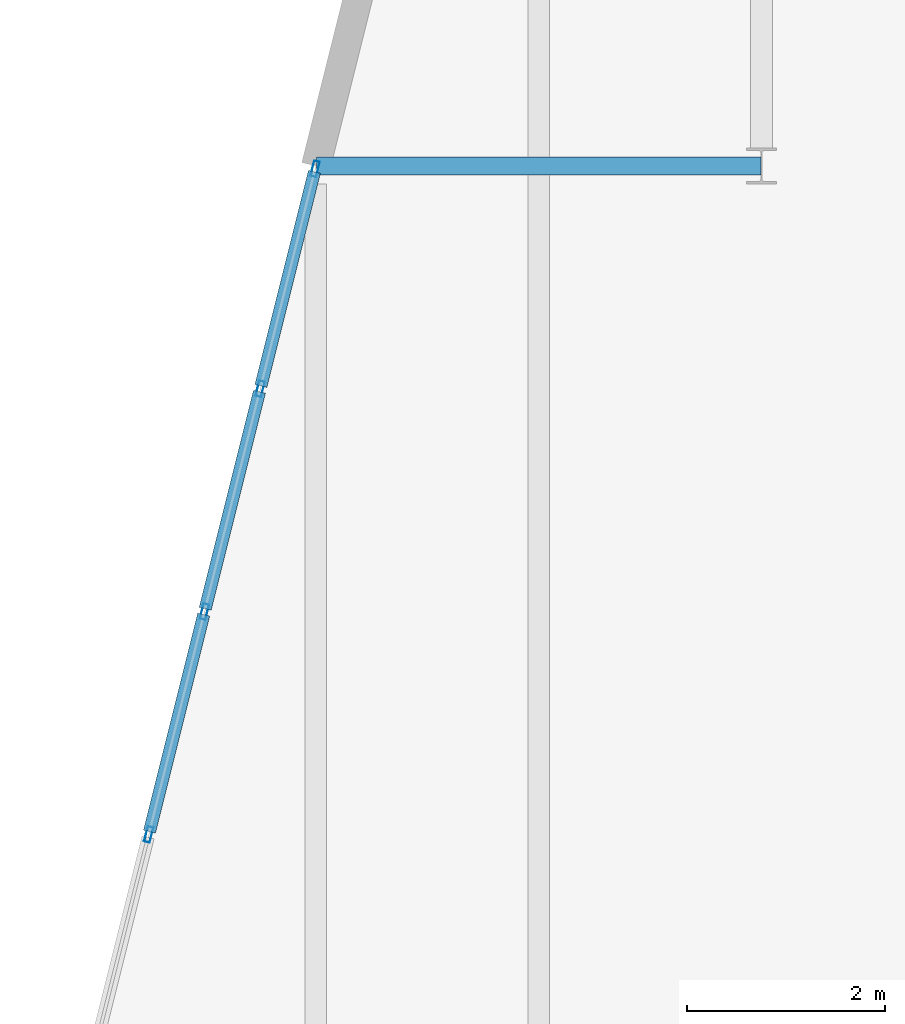
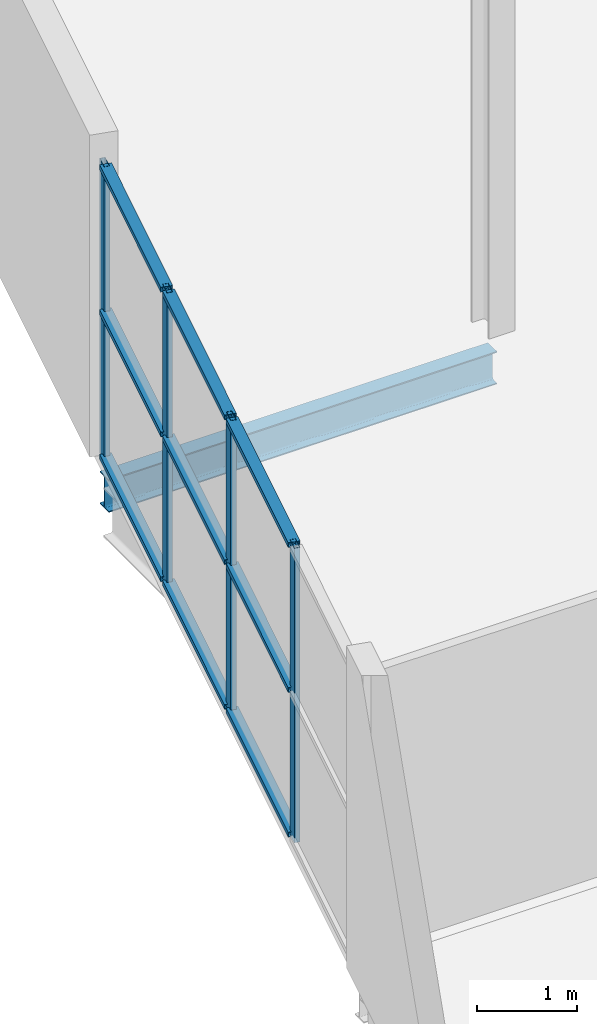
# One storey, part 88 of 132: 13 members, 1 beam, 1 element without a shape of its own.
"""IFC4 building model written with IfcOpenShell, lengths in metres."""

from ifc_helpers import new_model, si_unit, direction, frame, origin, origin_2d, place, context, subcontext, project, spatial, hollow_rectangle, i_section, extrude, material, layer, layer_set, material_profile, profile_set, type_object, element, aggregate, save


model = new_model("IFC4")

# Units and contexts
model_context = context("Model", 3, precision=1e-05, world=origin(), true_north=direction((0.0, 1.0)))
body_context = subcontext(model_context, "Body", "Model", "MODEL_VIEW")
ifc_project = project(units=[si_unit("LENGTHUNIT", "METRE"), si_unit("AREAUNIT", "SQUARE_METRE"), si_unit("VOLUMEUNIT", "CUBIC_METRE"), si_unit("PLANEANGLEUNIT", "RADIAN"), si_unit("MASSUNIT", "GRAM", prefix="KILO")], contexts=[model_context])

# Site, building, storey
site_placement = place(None, origin())
site = spatial("IfcSite", under=ifc_project, at=site_placement, CompositionType="ELEMENT")
building_placement = place(site_placement, origin())
building = spatial("IfcBuilding", under=site, at=building_placement, Name="Deido Ridge Mobility Hub", CompositionType="ELEMENT")
storey_placement = place(building_placement, frame((0.0, 0.0, 8.39990234375)))
storey = spatial("IfcBuildingStorey", under=building, at=storey_placement, Name="L02", CompositionType="ELEMENT", Elevation=8.39990234375)

# Beam
ifc_material_1 = material(Name="Steel S355J2 EN 10025-2", Category="steel")
ifc_material_profile_1 = material_profile(ifc_material_1, i_section(OverallWidth=0.179931640625, OverallDepth=0.39990234375, WebThickness=0.008544921875, FlangeThickness=0.013427734375, FilletRadius=0.02099609375, at=origin_2d()), Name="IPE 400")
ifc_profile_set_1 = profile_set([ifc_material_profile_1], Name="Steel S355J2 EN 10025-2")
beam_type = type_object("IfcBeamType", Name="BM-IPE400", PredefinedType="BEAM", material=ifc_profile_set_1)
beam_placement = place(storey_placement, frame((128.256103515625, 45.0, -0.454833984375), z_axis=(1.0, 0.0, 0.0), x_axis=(0.0, 1.0, 0.0)))
element("IfcBeam", 1, at=beam_placement, inside=storey, type_object=beam_type, Name="Floor beam B5", PredefinedType="BEAM", context=body_context, shape_type="SweptSolid", body=[
    extrude(i_section(OverallWidth=0.179931640625, OverallDepth=0.39990234375, WebThickness=0.008544921875, FlangeThickness=0.013427734375, FilletRadius=0.02099609375, at=origin_2d()), origin(), (0.0, 0.0, 1.0), 4.48779296875),
])

# Curtain wall, members
ifc_material_2 = material(Name="Anodised aluminium EN AW-6063 T6", Category="aluminium")
ifc_layer = layer(ifc_material_2, 0.2099609375, Name="Anodised aluminium EN AW-6063 T6")
ifc_layer_set = layer_set([ifc_layer], Name="Anodised aluminium EN AW-6063 T6")
curtain_wall_type = type_object("IfcCurtainWallType", Name="CW-UF-4", PredefinedType="USERDEFINED", material=ifc_layer_set)
curtain_wall_placement = place(storey_placement, origin())
curtain_wall = element("IfcCurtainWall", 2, at=curtain_wall_placement, inside=storey, type_object=curtain_wall_type, Name="Unitised curtain wall CW4", ObjectType="UNITISED FACADE", PredefinedType="USERDEFINED")
ifc_material_profile_2 = material_profile(ifc_material_2, hollow_rectangle(XDim=0.06005859375, YDim=0.159912109375, WallThickness=0.00390625, at=origin_2d()), Name="RHS 60x160x4")
ifc_profile_set_2 = profile_set([ifc_material_profile_2], Name="Anodised aluminium EN AW-6063 T6")
member_type_1 = type_object("IfcMemberType", Name="MEM-MUL-60X160", PredefinedType="MULLION", material=ifc_profile_set_2)
member_1_placement = place(storey_placement, frame((126.5625, 38.25, 0.0), z_axis=(0.0, 0.0, 1.0), x_axis=(-0.970142500145, 0.242535625038, 0.0)))
member_1 = element("IfcMember", 3, at=member_1_placement, type_object=member_type_1, Name="CW4 mullion 2", PredefinedType="MULLION", context=body_context, shape_type="SweptSolid", body=[
    extrude(hollow_rectangle(XDim=0.06005859375, YDim=0.159912109375, WallThickness=0.00390625, at=origin_2d()), origin(), (0.0, 0.0, 1.0), 3.60009765625),
])
member_2_placement = place(storey_placement, frame((127.125, 40.5, 0.0), z_axis=(0.0, 0.0, 1.0), x_axis=(-0.970142500145, 0.242535625038, 0.0)))
member_2 = element("IfcMember", 4, at=member_2_placement, type_object=member_type_1, Name="CW4 mullion 3", PredefinedType="MULLION", context=body_context, shape_type="SweptSolid", body=[
    extrude(hollow_rectangle(XDim=0.06005859375, YDim=0.159912109375, WallThickness=0.00390625, at=origin_2d()), origin(), (0.0, 0.0, 1.0), 3.60009765625),
])
member_3_placement = place(storey_placement, frame((127.6875, 42.75, 0.0), z_axis=(0.0, 0.0, 1.0), x_axis=(-0.970142500145, 0.242535625038, 0.0)))
member_3 = element("IfcMember", 5, at=member_3_placement, type_object=member_type_1, Name="CW4 mullion 4", PredefinedType="MULLION", context=body_context, shape_type="SweptSolid", body=[
    extrude(hollow_rectangle(XDim=0.06005859375, YDim=0.159912109375, WallThickness=0.00390625, at=origin_2d()), origin(), (0.0, 0.0, 1.0), 3.60009765625),
])
member_4_placement = place(storey_placement, frame((128.24267578125, 44.970947265625, 0.0), z_axis=(0.0, 0.0, 1.0), x_axis=(-0.970142500145, 0.242535625038, 0.0)))
member_4 = element("IfcMember", 6, at=member_4_placement, type_object=member_type_1, Name="CW4 mullion 5", PredefinedType="MULLION", context=body_context, shape_type="SweptSolid", body=[
    extrude(hollow_rectangle(XDim=0.06005859375, YDim=0.159912109375, WallThickness=0.00390625, at=origin_2d()), origin(), (0.0, 0.0, 1.0), 3.60009765625),
])
ifc_material_profile_3 = material_profile(ifc_material_2, hollow_rectangle(XDim=0.125, YDim=0.06005859375, WallThickness=0.00390625, at=origin_2d()), Name="RHS 125x60x4")
ifc_profile_set_3 = profile_set([ifc_material_profile_3], Name="Anodised aluminium EN AW-6063 T6")
member_type_2 = type_object("IfcMemberType", Name="MEM-TRN-125X60", PredefinedType="USERDEFINED", material=ifc_profile_set_3)
member_5_placement = place(storey_placement, frame((126.56982421875, 38.279052734375, 0.030029296875), z_axis=(0.24248477333, 0.970155211656, 0.0), x_axis=(-0.970155211656, 0.24248477333, 0.0)))
member_5 = element("IfcMember", 7, at=member_5_placement, type_object=member_type_2, Name="CW4 transom 2.1", ObjectType="TRANSOM", PredefinedType="USERDEFINED", context=body_context, shape_type="SweptSolid", body=[
    extrude(hollow_rectangle(XDim=0.125, YDim=0.06005859375, WallThickness=0.00390625, at=origin_2d()), origin(), (0.0, 0.0, 1.0), 2.25927734375),
])
member_6_placement = place(storey_placement, frame((126.56982421875, 38.279052734375, 1.800048828125), z_axis=(0.24248477333, 0.970155211656, 0.0), x_axis=(-0.970155211656, 0.24248477333, 0.0)))
member_6 = element("IfcMember", 8, at=member_6_placement, type_object=member_type_2, Name="CW4 transom 2.2", ObjectType="TRANSOM", PredefinedType="USERDEFINED", context=body_context, shape_type="SweptSolid", body=[
    extrude(hollow_rectangle(XDim=0.125, YDim=0.06005859375, WallThickness=0.00390625, at=origin_2d()), origin(), (0.0, 0.0, 1.0), 2.25927734375),
])
member_7_placement = place(storey_placement, frame((126.56982421875, 38.279052734375, 3.570068359375), z_axis=(0.24248477333, 0.970155211656, 0.0), x_axis=(-0.970155211656, 0.24248477333, 0.0)))
member_7 = element("IfcMember", 9, at=member_7_placement, type_object=member_type_2, Name="CW4 transom 2.3", ObjectType="TRANSOM", PredefinedType="USERDEFINED", context=body_context, shape_type="SweptSolid", body=[
    extrude(hollow_rectangle(XDim=0.125, YDim=0.06005859375, WallThickness=0.00390625, at=origin_2d()), origin(), (0.0, 0.0, 1.0), 2.25927734375),
])
member_8_placement = place(storey_placement, frame((127.13232421875, 40.529052734375, 0.030029296875), z_axis=(0.24248477333, 0.970155211656, 0.0), x_axis=(-0.970155211656, 0.24248477333, 0.0)))
member_8 = element("IfcMember", 10, at=member_8_placement, type_object=member_type_2, Name="CW4 transom 3.1", ObjectType="TRANSOM", PredefinedType="USERDEFINED", context=body_context, shape_type="SweptSolid", body=[
    extrude(hollow_rectangle(XDim=0.125, YDim=0.06005859375, WallThickness=0.00390625, at=origin_2d()), origin(), (0.0, 0.0, 1.0), 2.25927734375),
])
member_9_placement = place(storey_placement, frame((127.13232421875, 40.529052734375, 1.800048828125), z_axis=(0.24248477333, 0.970155211656, 0.0), x_axis=(-0.970155211656, 0.24248477333, 0.0)))
member_9 = element("IfcMember", 11, at=member_9_placement, type_object=member_type_2, Name="CW4 transom 3.2", ObjectType="TRANSOM", PredefinedType="USERDEFINED", context=body_context, shape_type="SweptSolid", body=[
    extrude(hollow_rectangle(XDim=0.125, YDim=0.06005859375, WallThickness=0.00390625, at=origin_2d()), origin(), (0.0, 0.0, 1.0), 2.25927734375),
])
member_10_placement = place(storey_placement, frame((127.13232421875, 40.529052734375, 3.570068359375), z_axis=(0.24248477333, 0.970155211656, 0.0), x_axis=(-0.970155211656, 0.24248477333, 0.0)))
member_10 = element("IfcMember", 12, at=member_10_placement, type_object=member_type_2, Name="CW4 transom 3.3", ObjectType="TRANSOM", PredefinedType="USERDEFINED", context=body_context, shape_type="SweptSolid", body=[
    extrude(hollow_rectangle(XDim=0.125, YDim=0.06005859375, WallThickness=0.00390625, at=origin_2d()), origin(), (0.0, 0.0, 1.0), 2.25927734375),
])
member_11_placement = place(storey_placement, frame((127.69482421875, 42.779052734375, 0.030029296875), z_axis=(0.242458322075, 0.970161822613, 0.0), x_axis=(-0.970161822613, 0.242458322075, 0.0)))
member_11 = element("IfcMember", 13, at=member_11_placement, type_object=member_type_2, Name="CW4 transom 4.1", ObjectType="TRANSOM", PredefinedType="USERDEFINED", context=body_context, shape_type="SweptSolid", body=[
    extrude(hollow_rectangle(XDim=0.125, YDim=0.06005859375, WallThickness=0.00390625, at=origin_2d()), origin(), (0.0, 0.0, 1.0), 2.229248046875),
])
member_12_placement = place(storey_placement, frame((127.69482421875, 42.779052734375, 1.800048828125), z_axis=(0.242458322075, 0.970161822613, 0.0), x_axis=(-0.970161822613, 0.242458322075, 0.0)))
member_12 = element("IfcMember", 14, at=member_12_placement, type_object=member_type_2, Name="CW4 transom 4.2", ObjectType="TRANSOM", PredefinedType="USERDEFINED", context=body_context, shape_type="SweptSolid", body=[
    extrude(hollow_rectangle(XDim=0.125, YDim=0.06005859375, WallThickness=0.00390625, at=origin_2d()), origin(), (0.0, 0.0, 1.0), 2.229248046875),
])
member_13_placement = place(storey_placement, frame((127.69482421875, 42.779052734375, 3.570068359375), z_axis=(0.242458322075, 0.970161822613, 0.0), x_axis=(-0.970161822613, 0.242458322075, 0.0)))
member_13 = element("IfcMember", 15, at=member_13_placement, type_object=member_type_2, Name="CW4 transom 4.3", ObjectType="TRANSOM", PredefinedType="USERDEFINED", context=body_context, shape_type="SweptSolid", body=[
    extrude(hollow_rectangle(XDim=0.125, YDim=0.06005859375, WallThickness=0.00390625, at=origin_2d()), origin(), (0.0, 0.0, 1.0), 2.229248046875),
])
aggregate(curtain_wall, [member_1, member_2, member_3, member_4, member_5, member_6, member_7, member_8, member_9, member_10, member_11, member_12, member_13])

save(model, "model.ifc")
